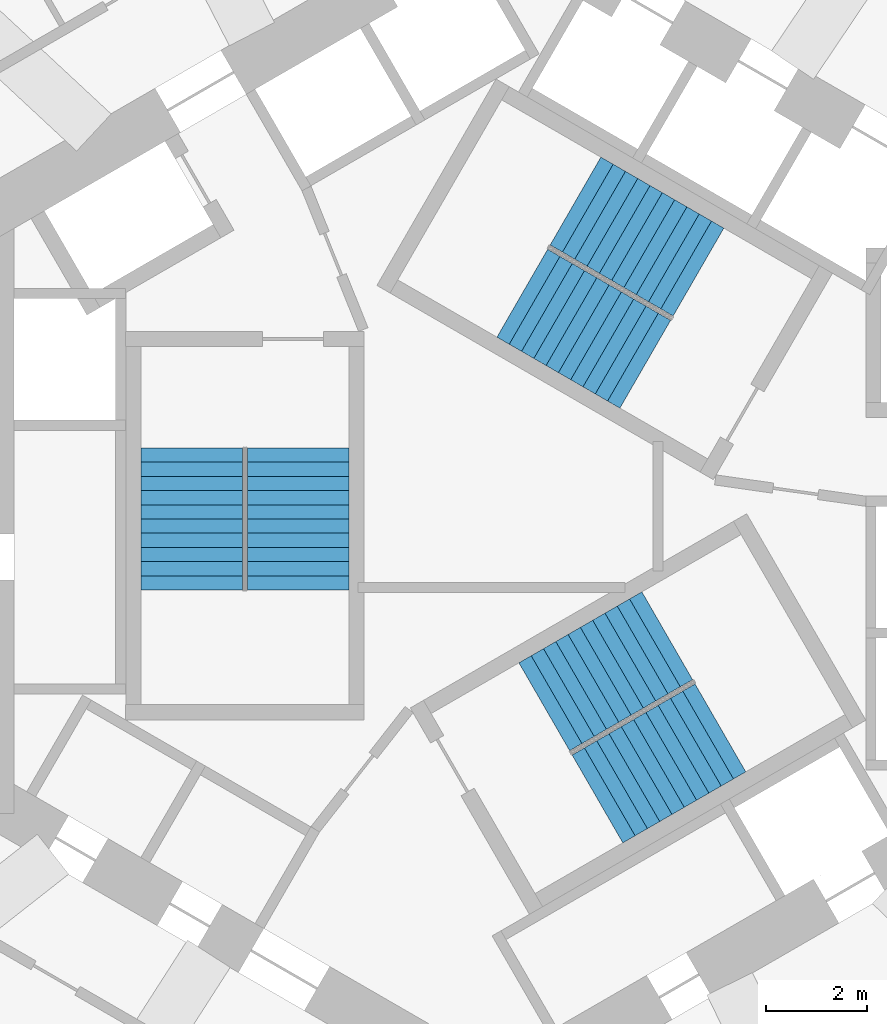
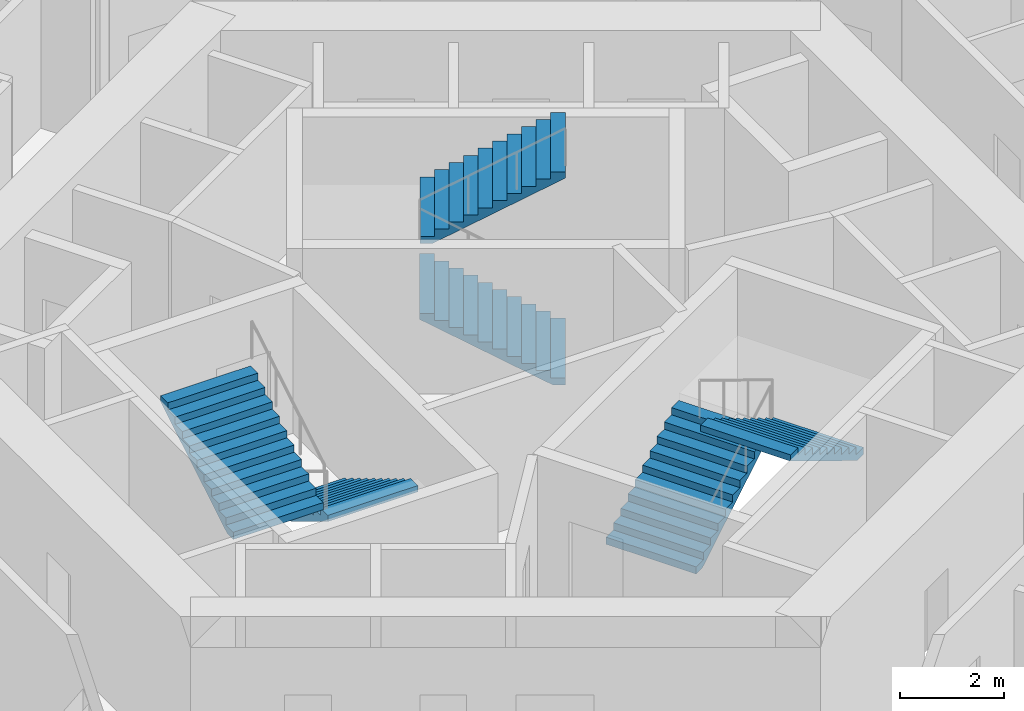
# One storey, part 9 of 11: 6 stair flights, 3 elements without a shape of their own.
"""IFC4 building model written with IfcOpenShell, lengths in metres."""

from ifc_helpers import new_model, si_unit, direction, frame, origin, place, context, subcontext, project, spatial, triangles, source, transform, mapped, material, type_object, element, aggregate, save


model = new_model("IFC4")

# Units and contexts
model_context = context("Model", 3, precision=1e-05, world=origin(), true_north=direction((0.0, 1.0)))
body_context = subcontext(model_context, "Body", "Model", "MODEL_VIEW")
ifc_project = project(units=[si_unit("LENGTHUNIT", "METRE"), si_unit("AREAUNIT", "SQUARE_METRE"), si_unit("VOLUMEUNIT", "CUBIC_METRE"), si_unit("PLANEANGLEUNIT", "RADIAN"), si_unit("MASSUNIT", "GRAM", prefix="KILO")], contexts=[model_context])

# Site, building, storey
site_placement = place(None, origin())
site = spatial("IfcSite", under=ifc_project, at=site_placement, CompositionType="ELEMENT")
building_placement = place(site_placement, origin())
building = spatial("IfcBuilding", under=site, at=building_placement, Name="Vanh Sen Convention Tower", CompositionType="ELEMENT")
storey_placement = place(building_placement, frame((0.0, 0.0, 128.10009765625)))
storey = spatial("IfcBuildingStorey", under=building, at=storey_placement, Name="L31", CompositionType="ELEMENT", Elevation=128.10009765625)

# Stair, stair flights
ifc_material_1 = material(Name="Concrete C50/60", Category="concrete")
stair_type_1 = type_object("IfcStairType", Name="Exit stair ST1 22 risers at 168.2", PredefinedType="HALF_TURN_STAIR", material=ifc_material_1)
stair_1_placement = place(storey_placement, origin())
stair_1 = element("IfcStair", 1, at=stair_1_placement, inside=storey, type_object=stair_type_1, Name="Exit stair ST1 L31", PredefinedType="HALF_TURN_STAIR")
ifc_material_2 = material(Name="Concrete C40/50", Category="concrete")
stair_flight_type = type_object("IfcStairFlightType", Name="Stair flight 2000", PredefinedType="STRAIGHT", material=ifc_material_2)
shared_shape = source(origin(), body_context, "Body", "Tessellation", [
    triangles([(0.24267578125, 1.0, 0.0), (0.0, 1.0, 0.0), (0.0, 1.0, 0.168212890625), (0.280029296875, 1.0, 0.168212890625), (0.280029296875, 1.0, 0.33642578125), (0.56005859375, 1.0, 0.33642578125), (0.56005859375, 1.0, 0.504638671875), (0.840087890625, 1.0, 0.504638671875), (0.840087890625, 1.0, 0.672607421875), (1.1201171875, 1.0, 0.672607421875), (1.1201171875, 1.0, 0.8408203125), (1.39990234375, 1.0, 0.8408203125), (1.39990234375, 1.0, 1.009033203125), (1.679931640625, 1.0, 1.009033203125), (1.679931640625, 1.0, 1.17724609375), (1.9599609375, 1.0, 1.17724609375), (1.9599609375, 1.0, 1.345458984375), (2.239990234375, 1.0, 1.345458984375), (2.239990234375, 1.0, 1.513671875), (2.52001953125, 1.0, 1.513671875), (2.52001953125, 1.0, 1.681884765625), (2.800048828125, 1.0, 1.681884765625), (2.800048828125, 1.0, 1.535888671875), (0.24267578125, -1.0, 0.0), (0.0, -1.0, 0.0), (0.0, -1.0, 0.168212890625), (0.280029296875, -1.0, 0.168212890625), (0.280029296875, -1.0, 0.33642578125), (0.56005859375, -1.0, 0.33642578125), (0.56005859375, -1.0, 0.504638671875), (0.840087890625, -1.0, 0.504638671875), (0.840087890625, -1.0, 0.672607421875), (1.1201171875, -1.0, 0.672607421875), (1.1201171875, -1.0, 0.8408203125), (1.39990234375, -1.0, 0.8408203125), (1.39990234375, -1.0, 1.009033203125), (1.679931640625, -1.0, 1.009033203125), (1.679931640625, -1.0, 1.17724609375), (1.9599609375, -1.0, 1.17724609375), (1.9599609375, -1.0, 1.345458984375), (2.239990234375, -1.0, 1.345458984375), (2.239990234375, -1.0, 1.513671875), (2.52001953125, -1.0, 1.513671875), (2.52001953125, -1.0, 1.681884765625), (2.800048828125, -1.0, 1.681884765625), (2.800048828125, -1.0, 1.535888671875), (0.0, 0.0400390625, 0.0), (0.0, 0.0390625, 0.0), (0.0, 0.0380859375, 0.0), (0.0, 0.037109375, 0.0), (0.0, 0.035888671875, 0.0), (0.0, 0.034912109375, 0.0), (0.0, 0.033935546875, 0.0), (0.0, 0.032958984375, 0.0), (0.0, 0.031982421875, 0.0), (0.0, 0.031005859375, 0.0), (0.0, 0.030029296875, 0.0), (0.0, 0.029052734375, 0.0), (0.0, 0.028076171875, 0.0), (0.0, 0.027099609375, 0.0), (0.0, 0.02587890625, 0.0), (0.0, 0.02490234375, 0.0), (0.0, 0.02392578125, 0.0), (0.0, 0.02294921875, 0.0), (0.0, 0.02197265625, 0.0), (0.0, 0.02099609375, 0.0), (0.0, 0.02001953125, 0.0), (0.0, 0.01904296875, 0.0), (0.0, 0.01806640625, 0.0), (0.0, 0.01708984375, 0.0), (0.0, 0.01611328125, 0.0), (0.0, 0.014892578125, 0.0), (0.0, 0.013916015625, 0.0), (0.0, 0.012939453125, 0.0), (0.0, 0.011962890625, 0.0), (0.0, 0.010986328125, 0.0), (0.0, 0.010009765625, 0.0), (0.0, 0.009033203125, 0.0), (0.0, 0.008056640625, 0.0), (0.0, 0.007080078125, 0.0), (0.0, 0.006103515625, 0.0), (0.0, 0.0048828125, 0.0), (0.0, 0.00390625, 0.0), (0.0, 0.0029296875, 0.0), (0.0, 0.001953125, 0.0), (0.0, 0.0009765625, 0.0), (0.0, 0.0, 0.0), (0.0, -0.0009765625, 0.0), (0.0, -0.001953125, 0.0), (0.0, -0.0029296875, 0.0), (0.0, -0.00390625, 0.0), (0.0, -0.0048828125, 0.0), (0.0, -0.006103515625, 0.0), (0.0, -0.007080078125, 0.0), (0.0, -0.008056640625, 0.0), (0.0, -0.009033203125, 0.0), (0.0, -0.010009765625, 0.0), (0.0, -0.010986328125, 0.0), (0.0, -0.011962890625, 0.0), (0.0, -0.012939453125, 0.0), (0.0, -0.013916015625, 0.0), (0.0, -0.014892578125, 0.0), (0.0, -0.01611328125, 0.0), (0.0, -0.01708984375, 0.0), (0.0, -0.01806640625, 0.0), (0.0, -0.01904296875, 0.0), (0.0, -0.02001953125, 0.0), (0.0, -0.02099609375, 0.0), (0.0, -0.02197265625, 0.0), (0.0, -0.02294921875, 0.0), (0.0, -0.02392578125, 0.0), (0.0, -0.02490234375, 0.0), (0.0, -0.02587890625, 0.0), (0.0, -0.027099609375, 0.0), (0.0, -0.028076171875, 0.0), (0.0, -0.029052734375, 0.0), (0.0, -0.030029296875, 0.0), (0.0, -0.031005859375, 0.0), (0.0, -0.031982421875, 0.0), (0.0, -0.032958984375, 0.0), (0.0, -0.033935546875, 0.0), (0.0, -0.034912109375, 0.0), (0.0, -0.035888671875, 0.0), (0.0, -0.037109375, 0.0), (0.0, -0.0380859375, 0.0), (0.0, -0.0390625, 0.0), (0.0, -0.0400390625, 0.0), (0.0, 0.0400390625, 0.168212890625), (0.0, 0.0390625, 0.168212890625), (0.0, 0.0380859375, 0.168212890625), (0.0, 0.037109375, 0.168212890625), (0.0, 0.035888671875, 0.168212890625), (0.0, 0.034912109375, 0.168212890625), (0.0, 0.033935546875, 0.168212890625), (0.0, 0.032958984375, 0.168212890625), (0.0, 0.031982421875, 0.168212890625), (0.0, 0.031005859375, 0.168212890625), (0.0, 0.030029296875, 0.168212890625), (0.0, 0.029052734375, 0.168212890625), (0.0, 0.028076171875, 0.168212890625), (0.0, 0.027099609375, 0.168212890625), (0.0, 0.02587890625, 0.168212890625), (0.0, 0.02490234375, 0.168212890625), (0.0, 0.02392578125, 0.168212890625), (0.0, 0.02294921875, 0.168212890625), (0.0, 0.02197265625, 0.168212890625), (0.0, 0.02099609375, 0.168212890625), (0.0, 0.02001953125, 0.168212890625), (0.0, 0.01904296875, 0.168212890625), (0.0, 0.01806640625, 0.168212890625), (0.0, 0.01708984375, 0.168212890625), (0.0, 0.01611328125, 0.168212890625), (0.0, 0.014892578125, 0.168212890625), (0.0, 0.013916015625, 0.168212890625), (0.0, 0.012939453125, 0.168212890625), (0.0, 0.011962890625, 0.168212890625), (0.0, 0.010986328125, 0.168212890625), (0.0, 0.010009765625, 0.168212890625), (0.0, 0.009033203125, 0.168212890625), (0.0, 0.008056640625, 0.168212890625), (0.0, 0.007080078125, 0.168212890625), (0.0, 0.006103515625, 0.168212890625), (0.0, 0.0048828125, 0.168212890625), (0.0, 0.00390625, 0.168212890625), (0.0, 0.0029296875, 0.168212890625), (0.0, 0.001953125, 0.168212890625), (0.0, 0.0009765625, 0.168212890625), (0.0, 0.0, 0.168212890625), (0.0, -0.0009765625, 0.168212890625), (0.0, -0.001953125, 0.168212890625), (0.0, -0.0029296875, 0.168212890625), (0.0, -0.00390625, 0.168212890625), (0.0, -0.0048828125, 0.168212890625), (0.0, -0.006103515625, 0.168212890625), (0.0, -0.007080078125, 0.168212890625), (0.0, -0.008056640625, 0.168212890625), (0.0, -0.009033203125, 0.168212890625), (0.0, -0.010009765625, 0.168212890625), (0.0, -0.010986328125, 0.168212890625), (0.0, -0.011962890625, 0.168212890625), (0.0, -0.012939453125, 0.168212890625), (0.0, -0.013916015625, 0.168212890625), (0.0, -0.014892578125, 0.168212890625), (0.0, -0.01611328125, 0.168212890625), (0.0, -0.01708984375, 0.168212890625), (0.0, -0.01806640625, 0.168212890625), (0.0, -0.01904296875, 0.168212890625), (0.0, -0.02001953125, 0.168212890625), (0.0, -0.02099609375, 0.168212890625), (0.0, -0.02197265625, 0.168212890625), (0.0, -0.02294921875, 0.168212890625), (0.0, -0.02392578125, 0.168212890625), (0.0, -0.02490234375, 0.168212890625), (0.0, -0.02587890625, 0.168212890625), (0.0, -0.027099609375, 0.168212890625), (0.0, -0.028076171875, 0.168212890625), (0.0, -0.029052734375, 0.168212890625), (0.0, -0.030029296875, 0.168212890625), (0.0, -0.031005859375, 0.168212890625), (0.0, -0.031982421875, 0.168212890625), (0.0, -0.032958984375, 0.168212890625), (0.0, -0.033935546875, 0.168212890625), (0.0, -0.034912109375, 0.168212890625), (0.0, -0.035888671875, 0.168212890625), (0.0, -0.037109375, 0.168212890625), (0.0, -0.0380859375, 0.168212890625), (0.0, -0.0390625, 0.168212890625), (0.0, -0.0400390625, 0.168212890625), (0.280029296875, 0.0, 0.168212890625), (0.280029296875, 0.0, 0.33642578125), (0.56005859375, 0.0, 0.33642578125), (0.56005859375, 0.0, 0.504638671875), (0.840087890625, 0.0, 0.504638671875), (0.840087890625, 0.0, 0.672607421875), (1.1201171875, 0.0, 0.672607421875), (1.1201171875, 0.0, 0.8408203125), (1.39990234375, 0.0, 0.8408203125), (1.39990234375, 0.0, 1.009033203125), (1.679931640625, 0.0, 1.009033203125), (1.679931640625, 0.0, 1.17724609375), (1.9599609375, 0.0, 1.17724609375), (1.9599609375, 0.0, 1.345458984375), (2.239990234375, 0.0, 1.345458984375), (2.239990234375, 0.0, 1.513671875), (2.52001953125, 0.0, 1.513671875), (2.52001953125, 0.0, 1.681884765625), (2.800048828125, 0.0400390625, 1.681884765625), (2.800048828125, 0.0390625, 1.681884765625), (2.800048828125, 0.0380859375, 1.681884765625), (2.800048828125, 0.037109375, 1.681884765625), (2.800048828125, 0.035888671875, 1.681884765625), (2.800048828125, 0.034912109375, 1.681884765625), (2.800048828125, 0.033935546875, 1.681884765625), (2.800048828125, 0.032958984375, 1.681884765625), (2.800048828125, 0.031982421875, 1.681884765625), (2.800048828125, 0.031005859375, 1.681884765625), (2.800048828125, 0.030029296875, 1.681884765625), (2.800048828125, 0.029052734375, 1.681884765625), (2.800048828125, 0.028076171875, 1.681884765625), (2.800048828125, 0.027099609375, 1.681884765625), (2.800048828125, 0.02587890625, 1.681884765625), (2.800048828125, 0.02490234375, 1.681884765625), (2.800048828125, 0.02392578125, 1.681884765625), (2.800048828125, 0.02294921875, 1.681884765625), (2.800048828125, 0.02197265625, 1.681884765625), (2.800048828125, 0.02099609375, 1.681884765625), (2.800048828125, 0.02001953125, 1.681884765625), (2.800048828125, 0.01904296875, 1.681884765625), (2.800048828125, 0.01806640625, 1.681884765625), (2.800048828125, 0.01708984375, 1.681884765625), (2.800048828125, 0.01611328125, 1.681884765625), (2.800048828125, 0.014892578125, 1.681884765625), (2.800048828125, 0.013916015625, 1.681884765625), (2.800048828125, 0.012939453125, 1.681884765625), (2.800048828125, 0.011962890625, 1.681884765625), (2.800048828125, 0.010986328125, 1.681884765625), (2.800048828125, 0.010009765625, 1.681884765625), (2.800048828125, 0.009033203125, 1.681884765625), (2.800048828125, 0.008056640625, 1.681884765625), (2.800048828125, 0.007080078125, 1.681884765625), (2.800048828125, 0.006103515625, 1.681884765625), (2.800048828125, 0.0048828125, 1.681884765625), (2.800048828125, 0.00390625, 1.681884765625), (2.800048828125, 0.0029296875, 1.681884765625), (2.800048828125, 0.001953125, 1.681884765625), (2.800048828125, 0.0009765625, 1.681884765625), (2.800048828125, 0.0, 1.681884765625), (2.800048828125, -0.0009765625, 1.681884765625), (2.800048828125, -0.001953125, 1.681884765625), (2.800048828125, -0.0029296875, 1.681884765625), (2.800048828125, -0.00390625, 1.681884765625), (2.800048828125, -0.0048828125, 1.681884765625), (2.800048828125, -0.006103515625, 1.681884765625), (2.800048828125, -0.007080078125, 1.681884765625), (2.800048828125, -0.008056640625, 1.681884765625), (2.800048828125, -0.009033203125, 1.681884765625), (2.800048828125, -0.010009765625, 1.681884765625), (2.800048828125, -0.010986328125, 1.681884765625), (2.800048828125, -0.011962890625, 1.681884765625), (2.800048828125, -0.012939453125, 1.681884765625), (2.800048828125, -0.013916015625, 1.681884765625), (2.800048828125, -0.014892578125, 1.681884765625), (2.800048828125, -0.01611328125, 1.681884765625), (2.800048828125, -0.01708984375, 1.681884765625), (2.800048828125, -0.01806640625, 1.681884765625), (2.800048828125, -0.01904296875, 1.681884765625), (2.800048828125, -0.02001953125, 1.681884765625), (2.800048828125, -0.02099609375, 1.681884765625), (2.800048828125, -0.02197265625, 1.681884765625), (2.800048828125, -0.02294921875, 1.681884765625), (2.800048828125, -0.02392578125, 1.681884765625), (2.800048828125, -0.02490234375, 1.681884765625), (2.800048828125, -0.02587890625, 1.681884765625), (2.800048828125, -0.027099609375, 1.681884765625), (2.800048828125, -0.028076171875, 1.681884765625), (2.800048828125, -0.029052734375, 1.681884765625), (2.800048828125, -0.030029296875, 1.681884765625), (2.800048828125, -0.031005859375, 1.681884765625), (2.800048828125, -0.031982421875, 1.681884765625), (2.800048828125, -0.032958984375, 1.681884765625), (2.800048828125, -0.033935546875, 1.681884765625), (2.800048828125, -0.034912109375, 1.681884765625), (2.800048828125, -0.035888671875, 1.681884765625), (2.800048828125, -0.037109375, 1.681884765625), (2.800048828125, -0.0380859375, 1.681884765625), (2.800048828125, -0.0390625, 1.681884765625), (2.800048828125, -0.0400390625, 1.681884765625), (2.800048828125, 0.0400390625, 1.535888671875), (2.800048828125, 0.0390625, 1.535888671875), (2.800048828125, 0.0380859375, 1.535888671875), (2.800048828125, 0.037109375, 1.535888671875), (2.800048828125, 0.035888671875, 1.535888671875), (2.800048828125, 0.034912109375, 1.535888671875), (2.800048828125, 0.033935546875, 1.535888671875), (2.800048828125, 0.032958984375, 1.535888671875), (2.800048828125, 0.031982421875, 1.535888671875), (2.800048828125, 0.031005859375, 1.535888671875), (2.800048828125, 0.030029296875, 1.535888671875), (2.800048828125, 0.029052734375, 1.535888671875), (2.800048828125, 0.028076171875, 1.535888671875), (2.800048828125, 0.027099609375, 1.535888671875), (2.800048828125, 0.02587890625, 1.535888671875), (2.800048828125, 0.02490234375, 1.535888671875), (2.800048828125, 0.02392578125, 1.535888671875), (2.800048828125, 0.02294921875, 1.535888671875), (2.800048828125, 0.02197265625, 1.535888671875), (2.800048828125, 0.02099609375, 1.535888671875), (2.800048828125, 0.02001953125, 1.535888671875), (2.800048828125, 0.01904296875, 1.535888671875), (2.800048828125, 0.01806640625, 1.535888671875), (2.800048828125, 0.01708984375, 1.535888671875), (2.800048828125, 0.01611328125, 1.535888671875), (2.800048828125, 0.014892578125, 1.535888671875), (2.800048828125, 0.013916015625, 1.535888671875), (2.800048828125, 0.012939453125, 1.535888671875), (2.800048828125, 0.011962890625, 1.535888671875), (2.800048828125, 0.010986328125, 1.535888671875), (2.800048828125, 0.010009765625, 1.535888671875), (2.800048828125, 0.009033203125, 1.535888671875), (2.800048828125, 0.008056640625, 1.535888671875), (2.800048828125, 0.007080078125, 1.535888671875), (2.800048828125, 0.006103515625, 1.535888671875), (2.800048828125, 0.0048828125, 1.535888671875), (2.800048828125, 0.00390625, 1.535888671875), (2.800048828125, 0.0029296875, 1.535888671875), (2.800048828125, 0.001953125, 1.535888671875), (2.800048828125, 0.0009765625, 1.535888671875), (2.800048828125, 0.0, 1.535888671875), (2.800048828125, -0.0009765625, 1.535888671875), (2.800048828125, -0.001953125, 1.535888671875), (2.800048828125, -0.0029296875, 1.535888671875), (2.800048828125, -0.00390625, 1.535888671875), (2.800048828125, -0.0048828125, 1.535888671875), (2.800048828125, -0.006103515625, 1.535888671875), (2.800048828125, -0.007080078125, 1.535888671875), (2.800048828125, -0.008056640625, 1.535888671875), (2.800048828125, -0.009033203125, 1.535888671875), (2.800048828125, -0.010009765625, 1.535888671875), (2.800048828125, -0.010986328125, 1.535888671875), (2.800048828125, -0.011962890625, 1.535888671875), (2.800048828125, -0.012939453125, 1.535888671875), (2.800048828125, -0.013916015625, 1.535888671875), (2.800048828125, -0.014892578125, 1.535888671875), (2.800048828125, -0.01611328125, 1.535888671875), (2.800048828125, -0.01708984375, 1.535888671875), (2.800048828125, -0.01806640625, 1.535888671875), (2.800048828125, -0.01904296875, 1.535888671875), (2.800048828125, -0.02001953125, 1.535888671875), (2.800048828125, -0.02099609375, 1.535888671875), (2.800048828125, -0.02197265625, 1.535888671875), (2.800048828125, -0.02294921875, 1.535888671875), (2.800048828125, -0.02392578125, 1.535888671875), (2.800048828125, -0.02490234375, 1.535888671875), (2.800048828125, -0.02587890625, 1.535888671875), (2.800048828125, -0.027099609375, 1.535888671875), (2.800048828125, -0.028076171875, 1.535888671875), (2.800048828125, -0.029052734375, 1.535888671875), (2.800048828125, -0.030029296875, 1.535888671875), (2.800048828125, -0.031005859375, 1.535888671875), (2.800048828125, -0.031982421875, 1.535888671875), (2.800048828125, -0.032958984375, 1.535888671875), (2.800048828125, -0.033935546875, 1.535888671875), (2.800048828125, -0.034912109375, 1.535888671875), (2.800048828125, -0.035888671875, 1.535888671875), (2.800048828125, -0.037109375, 1.535888671875), (2.800048828125, -0.0380859375, 1.535888671875), (2.800048828125, -0.0390625, 1.535888671875), (2.800048828125, -0.0400390625, 1.535888671875), (0.24267578125, 0.0, 0.0)], [[1, 2, 3], [1, 3, 4], [4, 5, 6], [1, 4, 6], [6, 7, 8], [1, 6, 8], [8, 9, 10], [1, 8, 10], [10, 11, 12], [1, 10, 12], [12, 13, 14], [1, 12, 14], [14, 15, 16], [1, 14, 16], [16, 17, 18], [1, 16, 18], [18, 19, 20], [1, 18, 20], [20, 21, 22], [1, 20, 22], [22, 23, 1], [24, 26, 25], [24, 27, 26], [27, 29, 28], [24, 29, 27], [29, 31, 30], [24, 31, 29], [31, 33, 32], [24, 33, 31], [33, 35, 34], [24, 35, 33], [35, 37, 36], [24, 37, 35], [37, 39, 38], [24, 39, 37], [39, 41, 40], [24, 41, 39], [41, 43, 42], [24, 43, 41], [43, 45, 44], [24, 45, 43], [45, 24, 46], [2, 128, 3], [2, 47, 128], [47, 129, 128], [47, 48, 129], [48, 130, 129], [48, 49, 130], [49, 131, 130], [49, 50, 131], [50, 132, 131], [50, 51, 132], [51, 133, 132], [51, 52, 133], [52, 134, 133], [52, 53, 134], [53, 135, 134], [53, 54, 135], [54, 136, 135], [54, 55, 136], [55, 137, 136], [55, 56, 137], [56, 138, 137], [56, 57, 138], [57, 139, 138], [57, 58, 139], [58, 140, 139], [58, 59, 140], [59, 141, 140], [59, 60, 141], [60, 142, 141], [60, 61, 142], [61, 143, 142], [61, 62, 143], [62, 144, 143], [62, 63, 144], [63, 145, 144], [63, 64, 145], [64, 146, 145], [64, 65, 146], [65, 147, 146], [65, 66, 147], [66, 148, 147], [66, 67, 148], [67, 149, 148], [67, 68, 149], [68, 150, 149], [68, 69, 150], [69, 151, 150], [69, 70, 151], [70, 152, 151], [70, 71, 152], [71, 153, 152], [71, 72, 153], [72, 154, 153], [72, 73, 154], [73, 155, 154], [73, 74, 155], [74, 156, 155], [74, 75, 156], [75, 157, 156], [75, 76, 157], [76, 158, 157], [76, 77, 158], [77, 159, 158], [77, 78, 159], [78, 160, 159], [78, 79, 160], [79, 161, 160], [79, 80, 161], [80, 162, 161], [80, 81, 162], [81, 163, 162], [81, 82, 163], [82, 164, 163], [82, 83, 164], [83, 165, 164], [83, 84, 165], [84, 166, 165], [84, 85, 166], [85, 167, 166], [85, 86, 167], [86, 168, 167], [86, 87, 168], [87, 88, 168], [168, 88, 169], [88, 89, 169], [169, 89, 170], [89, 90, 170], [170, 90, 171], [90, 91, 171], [171, 91, 172], [91, 92, 172], [172, 92, 173], [92, 93, 173], [173, 93, 174], [93, 94, 174], [174, 94, 175], [94, 95, 175], [175, 95, 176], [95, 96, 176], [176, 96, 177], [96, 97, 177], [177, 97, 178], [97, 98, 178], [178, 98, 179], [98, 99, 179], [179, 99, 180], [99, 100, 180], [180, 100, 181], [100, 101, 181], [181, 101, 182], [101, 102, 182], [182, 102, 183], [102, 103, 183], [183, 103, 184], [103, 104, 184], [184, 104, 185], [104, 105, 185], [185, 105, 186], [105, 106, 186], [186, 106, 187], [106, 107, 187], [187, 107, 188], [107, 108, 188], [188, 108, 189], [108, 109, 189], [189, 109, 190], [109, 110, 190], [190, 110, 191], [110, 111, 191], [191, 111, 192], [111, 112, 192], [192, 112, 193], [112, 113, 193], [193, 113, 194], [113, 114, 194], [194, 114, 195], [114, 115, 195], [195, 115, 196], [115, 116, 196], [196, 116, 197], [116, 117, 197], [197, 117, 198], [117, 118, 198], [198, 118, 199], [118, 119, 199], [199, 119, 200], [119, 120, 200], [200, 120, 201], [120, 121, 201], [201, 121, 202], [121, 122, 202], [202, 122, 203], [122, 123, 203], [203, 123, 204], [123, 124, 204], [204, 124, 205], [124, 125, 205], [205, 125, 206], [125, 126, 206], [206, 126, 207], [126, 127, 207], [207, 127, 208], [127, 25, 208], [208, 25, 26], [4, 3, 128], [4, 128, 129], [4, 129, 130], [4, 130, 131], [4, 131, 132], [4, 132, 133], [4, 133, 134], [4, 134, 135], [4, 135, 136], [4, 136, 137], [4, 137, 138], [4, 138, 139], [4, 139, 140], [4, 140, 141], [4, 141, 142], [4, 142, 143], [4, 143, 144], [4, 144, 145], [4, 145, 146], [4, 146, 147], [4, 147, 148], [4, 148, 149], [4, 149, 150], [4, 150, 151], [4, 151, 152], [4, 152, 153], [4, 153, 154], [4, 154, 155], [4, 155, 156], [4, 156, 157], [4, 157, 158], [4, 158, 159], [4, 159, 160], [4, 160, 161], [4, 161, 162], [4, 162, 163], [4, 163, 164], [4, 164, 165], [4, 165, 166], [4, 166, 167], [4, 167, 168], [27, 168, 169], [27, 169, 170], [27, 170, 171], [27, 171, 172], [27, 172, 173], [27, 173, 174], [27, 174, 175], [27, 175, 176], [27, 176, 177], [27, 177, 178], [27, 178, 179], [27, 179, 180], [27, 180, 181], [27, 181, 182], [27, 182, 183], [27, 183, 184], [27, 184, 185], [27, 185, 186], [27, 186, 187], [27, 187, 188], [27, 188, 189], [27, 189, 190], [27, 190, 191], [27, 191, 192], [27, 192, 193], [27, 193, 194], [27, 194, 195], [27, 195, 196], [27, 196, 197], [27, 197, 198], [27, 198, 199], [27, 199, 200], [27, 200, 201], [27, 201, 202], [27, 202, 203], [27, 203, 204], [27, 204, 205], [27, 205, 206], [27, 206, 207], [27, 207, 208], [27, 208, 26], [4, 168, 209], [27, 209, 168], [4, 210, 5], [4, 209, 210], [209, 27, 210], [210, 27, 28], [5, 211, 6], [5, 210, 211], [210, 28, 211], [211, 28, 29], [6, 212, 7], [6, 211, 212], [211, 29, 212], [212, 29, 30], [7, 213, 8], [7, 212, 213], [212, 30, 213], [213, 30, 31], [8, 214, 9], [8, 213, 214], [213, 31, 214], [214, 31, 32], [9, 215, 10], [9, 214, 215], [214, 32, 215], [215, 32, 33], [10, 216, 11], [10, 215, 216], [215, 33, 216], [216, 33, 34], [11, 217, 12], [11, 216, 217], [216, 34, 217], [217, 34, 35], [12, 218, 13], [12, 217, 218], [217, 35, 218], [218, 35, 36], [13, 219, 14], [13, 218, 219], [218, 36, 219], [219, 36, 37], [14, 220, 15], [14, 219, 220], [219, 37, 220], [220, 37, 38], [15, 221, 16], [15, 220, 221], [220, 38, 221], [221, 38, 39], [16, 222, 17], [16, 221, 222], [221, 39, 222], [222, 39, 40], [17, 223, 18], [17, 222, 223], [222, 40, 223], [223, 40, 41], [18, 224, 19], [18, 223, 224], [223, 41, 224], [224, 41, 42], [19, 225, 20], [19, 224, 225], [224, 42, 225], [225, 42, 43], [20, 226, 21], [20, 225, 226], [225, 43, 226], [226, 43, 44], [21, 227, 22], [21, 228, 227], [21, 229, 228], [21, 230, 229], [21, 231, 230], [21, 232, 231], [21, 233, 232], [21, 234, 233], [21, 235, 234], [21, 236, 235], [21, 237, 236], [21, 238, 237], [21, 239, 238], [21, 240, 239], [21, 241, 240], [21, 242, 241], [21, 243, 242], [21, 244, 243], [21, 245, 244], [21, 246, 245], [21, 247, 246], [21, 248, 247], [21, 249, 248], [21, 250, 249], [21, 251, 250], [21, 252, 251], [21, 253, 252], [21, 254, 253], [21, 255, 254], [21, 256, 255], [21, 257, 256], [21, 258, 257], [21, 259, 258], [21, 260, 259], [21, 261, 260], [21, 262, 261], [21, 263, 262], [21, 264, 263], [21, 265, 264], [21, 266, 265], [21, 267, 266], [44, 268, 267], [44, 269, 268], [44, 270, 269], [44, 271, 270], [44, 272, 271], [44, 273, 272], [44, 274, 273], [44, 275, 274], [44, 276, 275], [44, 277, 276], [44, 278, 277], [44, 279, 278], [44, 280, 279], [44, 281, 280], [44, 282, 281], [44, 283, 282], [44, 284, 283], [44, 285, 284], [44, 286, 285], [44, 287, 286], [44, 288, 287], [44, 289, 288], [44, 290, 289], [44, 291, 290], [44, 292, 291], [44, 293, 292], [44, 294, 293], [44, 295, 294], [44, 296, 295], [44, 297, 296], [44, 298, 297], [44, 299, 298], [44, 300, 299], [44, 301, 300], [44, 302, 301], [44, 303, 302], [44, 304, 303], [44, 305, 304], [44, 306, 305], [44, 307, 306], [44, 45, 307], [21, 226, 267], [44, 267, 226], [22, 308, 23], [22, 227, 308], [227, 309, 308], [227, 228, 309], [228, 310, 309], [228, 229, 310], [229, 311, 310], [229, 230, 311], [230, 312, 311], [230, 231, 312], [231, 313, 312], [231, 232, 313], [232, 314, 313], [232, 233, 314], [233, 315, 314], [233, 234, 315], [234, 316, 315], [234, 235, 316], [235, 317, 316], [235, 236, 317], [236, 318, 317], [236, 237, 318], [237, 319, 318], [237, 238, 319], [238, 320, 319], [238, 239, 320], [239, 321, 320], [239, 240, 321], [240, 322, 321], [240, 241, 322], [241, 323, 322], [241, 242, 323], [242, 324, 323], [242, 243, 324], [243, 325, 324], [243, 244, 325], [244, 326, 325], [244, 245, 326], [245, 327, 326], [245, 246, 327], [246, 328, 327], [246, 247, 328], [247, 329, 328], [247, 248, 329], [248, 330, 329], [248, 249, 330], [249, 331, 330], [249, 250, 331], [250, 332, 331], [250, 251, 332], [251, 333, 332], [251, 252, 333], [252, 334, 333], [252, 253, 334], [253, 335, 334], [253, 254, 335], [254, 336, 335], [254, 255, 336], [255, 337, 336], [255, 256, 337], [256, 338, 337], [256, 257, 338], [257, 339, 338], [257, 258, 339], [258, 340, 339], [258, 259, 340], [259, 341, 340], [259, 260, 341], [260, 342, 341], [260, 261, 342], [261, 343, 342], [261, 262, 343], [262, 344, 343], [262, 263, 344], [263, 345, 344], [263, 264, 345], [264, 346, 345], [264, 265, 346], [265, 347, 346], [265, 266, 347], [266, 348, 347], [266, 267, 348], [267, 268, 348], [348, 268, 349], [268, 269, 349], [349, 269, 350], [269, 270, 350], [350, 270, 351], [270, 271, 351], [351, 271, 352], [271, 272, 352], [352, 272, 353], [272, 273, 353], [353, 273, 354], [273, 274, 354], [354, 274, 355], [274, 275, 355], [355, 275, 356], [275, 276, 356], [356, 276, 357], [276, 277, 357], [357, 277, 358], [277, 278, 358], [358, 278, 359], [278, 279, 359], [359, 279, 360], [279, 280, 360], [360, 280, 361], [280, 281, 361], [361, 281, 362], [281, 282, 362], [362, 282, 363], [282, 283, 363], [363, 283, 364], [283, 284, 364], [364, 284, 365], [284, 285, 365], [365, 285, 366], [285, 286, 366], [366, 286, 367], [286, 287, 367], [367, 287, 368], [287, 288, 368], [368, 288, 369], [288, 289, 369], [369, 289, 370], [289, 290, 370], [370, 290, 371], [290, 291, 371], [371, 291, 372], [291, 292, 372], [372, 292, 373], [292, 293, 373], [373, 293, 374], [293, 294, 374], [374, 294, 375], [294, 295, 375], [375, 295, 376], [295, 296, 376], [376, 296, 377], [296, 297, 377], [377, 297, 378], [297, 298, 378], [378, 298, 379], [298, 299, 379], [379, 299, 380], [299, 300, 380], [380, 300, 381], [300, 301, 381], [381, 301, 382], [301, 302, 382], [382, 302, 383], [302, 303, 383], [383, 303, 384], [303, 304, 384], [384, 304, 385], [304, 305, 385], [385, 305, 386], [305, 306, 386], [386, 306, 387], [306, 307, 387], [387, 307, 388], [307, 45, 388], [388, 45, 46], [1, 23, 308], [1, 308, 309], [1, 309, 310], [1, 310, 311], [1, 311, 312], [1, 312, 313], [1, 313, 314], [1, 314, 315], [1, 315, 316], [1, 316, 317], [1, 317, 318], [1, 318, 319], [1, 319, 320], [1, 320, 321], [1, 321, 322], [1, 322, 323], [1, 323, 324], [1, 324, 325], [1, 325, 326], [1, 326, 327], [1, 327, 328], [1, 328, 329], [1, 329, 330], [1, 330, 331], [1, 331, 332], [1, 332, 333], [1, 333, 334], [1, 334, 335], [1, 335, 336], [1, 336, 337], [1, 337, 338], [1, 338, 339], [1, 339, 340], [1, 340, 341], [1, 341, 342], [1, 342, 343], [1, 343, 344], [1, 344, 345], [1, 345, 346], [1, 346, 347], [1, 347, 348], [24, 348, 349], [24, 349, 350], [24, 350, 351], [24, 351, 352], [24, 352, 353], [24, 353, 354], [24, 354, 355], [24, 355, 356], [24, 356, 357], [24, 357, 358], [24, 358, 359], [24, 359, 360], [24, 360, 361], [24, 361, 362], [24, 362, 363], [24, 363, 364], [24, 364, 365], [24, 365, 366], [24, 366, 367], [24, 367, 368], [24, 368, 369], [24, 369, 370], [24, 370, 371], [24, 371, 372], [24, 372, 373], [24, 373, 374], [24, 374, 375], [24, 375, 376], [24, 376, 377], [24, 377, 378], [24, 378, 379], [24, 379, 380], [24, 380, 381], [24, 381, 382], [24, 382, 383], [24, 383, 384], [24, 384, 385], [24, 385, 386], [24, 386, 387], [24, 387, 388], [24, 388, 46], [1, 348, 389], [24, 389, 348], [1, 47, 2], [1, 48, 47], [1, 49, 48], [1, 50, 49], [1, 51, 50], [1, 52, 51], [1, 53, 52], [1, 54, 53], [1, 55, 54], [1, 56, 55], [1, 57, 56], [1, 58, 57], [1, 59, 58], [1, 60, 59], [1, 61, 60], [1, 62, 61], [1, 63, 62], [1, 64, 63], [1, 65, 64], [1, 66, 65], [1, 67, 66], [1, 68, 67], [1, 69, 68], [1, 70, 69], [1, 71, 70], [1, 72, 71], [1, 73, 72], [1, 74, 73], [1, 75, 74], [1, 76, 75], [1, 77, 76], [1, 78, 77], [1, 79, 78], [1, 80, 79], [1, 81, 80], [1, 82, 81], [1, 83, 82], [1, 84, 83], [1, 85, 84], [1, 86, 85], [1, 87, 86], [24, 88, 87], [24, 89, 88], [24, 90, 89], [24, 91, 90], [24, 92, 91], [24, 93, 92], [24, 94, 93], [24, 95, 94], [24, 96, 95], [24, 97, 96], [24, 98, 97], [24, 99, 98], [24, 100, 99], [24, 101, 100], [24, 102, 101], [24, 103, 102], [24, 104, 103], [24, 105, 104], [24, 106, 105], [24, 107, 106], [24, 108, 107], [24, 109, 108], [24, 110, 109], [24, 111, 110], [24, 112, 111], [24, 113, 112], [24, 114, 113], [24, 115, 114], [24, 116, 115], [24, 117, 116], [24, 118, 117], [24, 119, 118], [24, 120, 119], [24, 121, 120], [24, 122, 121], [24, 123, 122], [24, 124, 123], [24, 125, 124], [24, 126, 125], [24, 127, 126], [24, 25, 127], [1, 389, 87], [24, 87, 389]], closed=True),
])
stair_flight_1_placement = place(storey_placement, frame((2.94580078125, 2.802490234375, 0.0), z_axis=(0.0, 0.0, 1.0), x_axis=(-0.866025403784, 0.5, 0.0)))
stair_flight_1 = element("IfcStairFlight", 2, at=stair_flight_1_placement, type_object=stair_flight_type, Name="ST1 flight 1", NumberOfRisers=11, NumberOfTreads=10, PredefinedType="STRAIGHT", RiserHeight=0.168181818, TreadLength=0.28, context=body_context, shape_type="MappedRepresentation", body=[
    mapped(shared_shape, transform((0.0, 0.0, 0.0))),
])
stair_flight_2_placement = place(storey_placement, frame((1.571044921875, 6.021240234375, 1.849853515625), z_axis=(0.0, 0.0, 1.0), x_axis=(0.866025403784, -0.5, 0.0)))
stair_flight_2 = element("IfcStairFlight", 3, at=stair_flight_2_placement, type_object=stair_flight_type, Name="ST1 flight 2", NumberOfRisers=11, NumberOfTreads=10, PredefinedType="STRAIGHT", RiserHeight=0.168181818, TreadLength=0.28, context=body_context, shape_type="MappedRepresentation", body=[
    mapped(shared_shape, transform((0.0, 0.0, 0.0))),
])
aggregate(stair_1, [stair_flight_1, stair_flight_2])

stair_type_2 = type_object("IfcStairType", Name="Exit stair ST2 22 risers at 168.2", PredefinedType="HALF_TURN_STAIR", material=ifc_material_1)
stair_2_placement = place(storey_placement, origin())
stair_2 = element("IfcStair", 4, at=stair_2_placement, inside=storey, type_object=stair_type_2, Name="Exit stair ST2 L31", PredefinedType="HALF_TURN_STAIR")
stair_flight_3_placement = place(storey_placement, frame((-3.89990234375, 1.14990234375, 0.0), z_axis=(0.0, 0.0, 1.0), x_axis=(0.0, -1.0, 0.0)))
stair_flight_3 = element("IfcStairFlight", 5, at=stair_flight_3_placement, type_object=stair_flight_type, Name="ST2 flight 1", NumberOfRisers=11, NumberOfTreads=10, PredefinedType="STRAIGHT", RiserHeight=0.168181818, TreadLength=0.28, context=body_context, shape_type="MappedRepresentation", body=[
    mapped(shared_shape, transform((0.0, 0.0, 0.0))),
])
stair_flight_4_placement = place(storey_placement, frame((-6.0, -1.64990234375, 1.849853515625), z_axis=(0.0, 0.0, 1.0), x_axis=(0.0, 1.0, 0.0)))
stair_flight_4 = element("IfcStairFlight", 6, at=stair_flight_4_placement, type_object=stair_flight_type, Name="ST2 flight 2", NumberOfRisers=11, NumberOfTreads=10, PredefinedType="STRAIGHT", RiserHeight=0.168181818, TreadLength=0.28, context=body_context, shape_type="MappedRepresentation", body=[
    mapped(shared_shape, transform((0.0, 0.0, 0.0))),
])
aggregate(stair_2, [stair_flight_3, stair_flight_4])

stair_type_3 = type_object("IfcStairType", Name="Exit stair ST3 22 risers at 168.2", PredefinedType="HALF_TURN_STAIR", material=ifc_material_1)
stair_3_placement = place(storey_placement, origin())
stair_3 = element("IfcStair", 7, at=stair_3_placement, inside=storey, type_object=stair_type_3, Name="Exit stair ST3 L31", PredefinedType="HALF_TURN_STAIR")
stair_flight_5_placement = place(storey_placement, frame((0.9541015625, -3.952392578125, 0.0), z_axis=(0.0, 0.0, 1.0), x_axis=(0.866025403784, 0.5, 0.0)))
stair_flight_5 = element("IfcStairFlight", 8, at=stair_flight_5_placement, type_object=stair_flight_type, Name="ST3 flight 1", NumberOfRisers=11, NumberOfTreads=10, PredefinedType="STRAIGHT", RiserHeight=0.168181818, TreadLength=0.28, context=body_context, shape_type="MappedRepresentation", body=[
    mapped(shared_shape, transform((0.0, 0.0, 0.0))),
])
stair_flight_6_placement = place(storey_placement, frame((4.428955078125, -4.37109375, 1.849853515625), z_axis=(0.0, 0.0, 1.0), x_axis=(-0.866025403784, -0.5, 0.0)))
stair_flight_6 = element("IfcStairFlight", 9, at=stair_flight_6_placement, type_object=stair_flight_type, Name="ST3 flight 2", NumberOfRisers=11, NumberOfTreads=10, PredefinedType="STRAIGHT", RiserHeight=0.168181818, TreadLength=0.28, context=body_context, shape_type="MappedRepresentation", body=[
    mapped(shared_shape, transform((0.0, 0.0, 0.0))),
])
aggregate(stair_3, [stair_flight_5, stair_flight_6])

save(model, "model.ifc")
